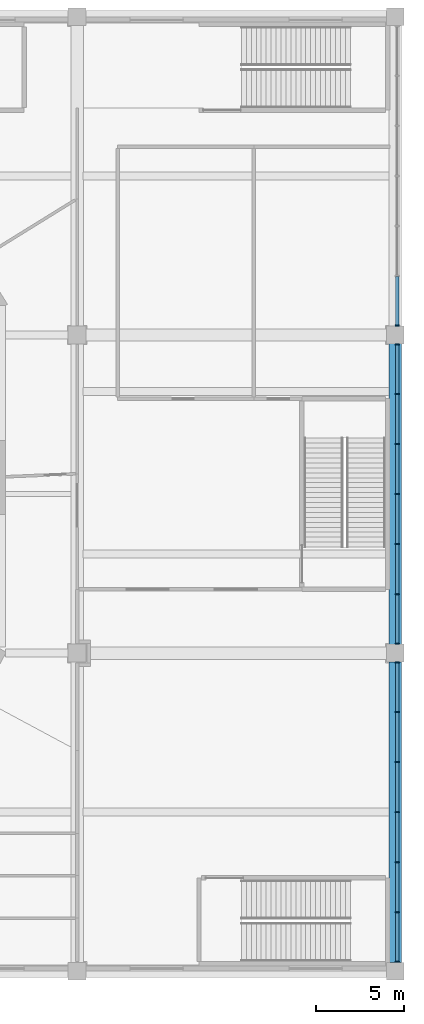
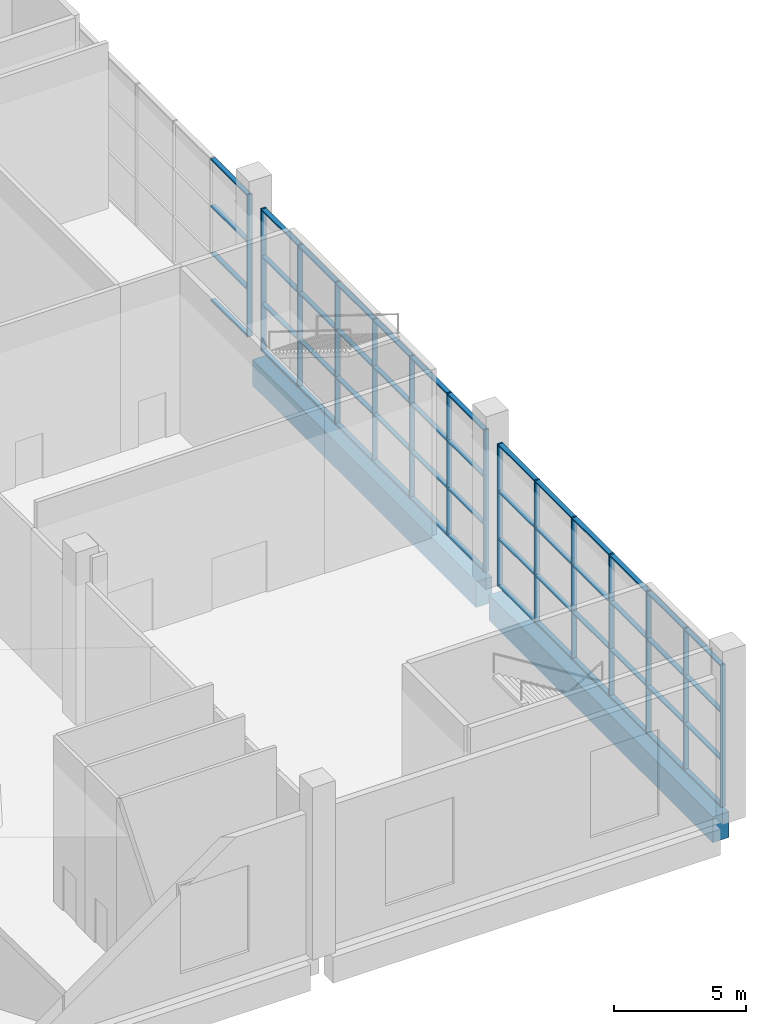
# One storey, part 2 of 15: 67 members, 2 beams, 3 elements without a shape of their own.
"""IFC4 building model written with IfcOpenShell, lengths in metres."""

from ifc_helpers import new_model, si_unit, direction, frame, origin, origin_2d, place, context, subcontext, project, spatial, rectangle, extrude, material, material_profile, profile_set, type_object, element, aggregate, save


model = new_model("IFC4")

# Units and contexts
model_context = context("Model", 3, precision=1e-05, world=origin(), true_north=direction((0.0, 1.0)))
body_context = subcontext(model_context, "Body", "Model", "MODEL_VIEW")
ifc_project = project(units=[si_unit("LENGTHUNIT", "METRE"), si_unit("AREAUNIT", "SQUARE_METRE"), si_unit("VOLUMEUNIT", "CUBIC_METRE"), si_unit("PLANEANGLEUNIT", "RADIAN"), si_unit("MASSUNIT", "GRAM", prefix="KILO")], contexts=[model_context])

# Site, building, storey
site_placement = place(None, origin())
site = spatial("IfcSite", under=ifc_project, at=site_placement, CompositionType="ELEMENT")
building_placement = place(site_placement, origin())
building = spatial("IfcBuilding", under=site, at=building_placement, Name="Vanh Sen Convention Tower", CompositionType="ELEMENT")
storey_placement = place(building_placement, frame((0.0, 0.0, 21.0)))
storey = spatial("IfcBuildingStorey", under=building, at=storey_placement, Name="L03", CompositionType="ELEMENT", Elevation=21.0)

# Curtain wall, members
ifc_material_1 = material(Name="Aluminium structural glazing system", Category="aluminium")
curtain_wall_type = type_object("IfcCurtainWallType", Name="Podium hall structural glazing", PredefinedType="NOTDEFINED", material=ifc_material_1)
curtain_wall_1_placement = place(storey_placement, origin())
curtain_wall_1 = element("IfcCurtainWall", 1, at=curtain_wall_1_placement, inside=storey, type_object=curtain_wall_type, Name="Podium hall glazing 1 L03", PredefinedType="NOTDEFINED")
ifc_material_2 = material(Name="Aluminium mullion", Category="aluminium")
ifc_material_profile_1 = material_profile(ifc_material_2, rectangle(XDim=0.219970703125, YDim=0.070068359375, at=origin_2d()), Name="Hall glazing mullion 70 x 220")
ifc_profile_set_1 = profile_set([ifc_material_profile_1], Name="Aluminium mullion")
member_type_1 = type_object("IfcMemberType", Name="Hall glazing mullion 70 x 220", PredefinedType="MULLION", material=ifc_profile_set_1)
member_1_placement = place(storey_placement, frame((45.110107421875, -26.465087890625, 0.0), z_axis=(0.0, 0.0, 1.0), x_axis=(-1.0, 0.0, 0.0)))
member_1 = element("IfcMember", 2, at=member_1_placement, type_object=member_type_1, Name="CW4 mullion 1", PredefinedType="MULLION", context=body_context, shape_type="SweptSolid", body=[
    extrude(rectangle(XDim=0.219970703125, YDim=0.070068359375, at=origin_2d()), origin(), (0.0, 0.0, 1.0), 6.60009765625),
])
member_2_placement = place(storey_placement, frame((45.110107421875, -23.666748046875, 0.0), z_axis=(0.0, 0.0, 1.0), x_axis=(-1.0, 0.0, 0.0)))
member_2 = element("IfcMember", 3, at=member_2_placement, type_object=member_type_1, Name="CW4 mullion 2", PredefinedType="MULLION", context=body_context, shape_type="SweptSolid", body=[
    extrude(rectangle(XDim=0.219970703125, YDim=0.070068359375, at=origin_2d()), origin(), (0.0, 0.0, 1.0), 6.60009765625),
])
member_3_placement = place(storey_placement, frame((45.110107421875, -20.833251953125, 0.0), z_axis=(0.0, 0.0, 1.0), x_axis=(-1.0, 0.0, 0.0)))
member_3 = element("IfcMember", 4, at=member_3_placement, type_object=member_type_1, Name="CW4 mullion 3", PredefinedType="MULLION", context=body_context, shape_type="SweptSolid", body=[
    extrude(rectangle(XDim=0.219970703125, YDim=0.070068359375, at=origin_2d()), origin(), (0.0, 0.0, 1.0), 6.60009765625),
])
member_4_placement = place(storey_placement, frame((45.110107421875, -18.0, 0.0), z_axis=(0.0, 0.0, 1.0), x_axis=(-1.0, 0.0, 0.0)))
member_4 = element("IfcMember", 5, at=member_4_placement, type_object=member_type_1, Name="CW4 mullion 4", PredefinedType="MULLION", context=body_context, shape_type="SweptSolid", body=[
    extrude(rectangle(XDim=0.219970703125, YDim=0.070068359375, at=origin_2d()), origin(), (0.0, 0.0, 1.0), 6.60009765625),
])
member_5_placement = place(storey_placement, frame((45.110107421875, -15.166748046875, 0.0), z_axis=(0.0, 0.0, 1.0), x_axis=(-1.0, 0.0, 0.0)))
member_5 = element("IfcMember", 6, at=member_5_placement, type_object=member_type_1, Name="CW4 mullion 5", PredefinedType="MULLION", context=body_context, shape_type="SweptSolid", body=[
    extrude(rectangle(XDim=0.219970703125, YDim=0.070068359375, at=origin_2d()), origin(), (0.0, 0.0, 1.0), 6.60009765625),
])
member_6_placement = place(storey_placement, frame((45.110107421875, -12.333251953125, 0.0), z_axis=(0.0, 0.0, 1.0), x_axis=(-1.0, 0.0, 0.0)))
member_6 = element("IfcMember", 7, at=member_6_placement, type_object=member_type_1, Name="CW4 mullion 6", PredefinedType="MULLION", context=body_context, shape_type="SweptSolid", body=[
    extrude(rectangle(XDim=0.219970703125, YDim=0.070068359375, at=origin_2d()), origin(), (0.0, 0.0, 1.0), 6.60009765625),
])
member_7_placement = place(storey_placement, frame((45.110107421875, -9.534912109375, 0.0), z_axis=(0.0, 0.0, 1.0), x_axis=(-1.0, 0.0, 0.0)))
member_7 = element("IfcMember", 8, at=member_7_placement, type_object=member_type_1, Name="CW4 mullion 7", PredefinedType="MULLION", context=body_context, shape_type="SweptSolid", body=[
    extrude(rectangle(XDim=0.219970703125, YDim=0.070068359375, at=origin_2d()), origin(), (0.0, 0.0, 1.0), 6.60009765625),
])

curtain_wall_2_placement = place(storey_placement, origin())
curtain_wall_2 = element("IfcCurtainWall", 9, at=curtain_wall_2_placement, inside=storey, type_object=curtain_wall_type, Name="Podium hall glazing 2 L03", PredefinedType="NOTDEFINED")
member_8_placement = place(storey_placement, frame((45.110107421875, -8.465087890625, 0.0), z_axis=(0.0, 0.0, 1.0), x_axis=(-1.0, 0.0, 0.0)))
member_8 = element("IfcMember", 10, at=member_8_placement, type_object=member_type_1, Name="CW4 mullion 1", PredefinedType="MULLION", context=body_context, shape_type="SweptSolid", body=[
    extrude(rectangle(XDim=0.219970703125, YDim=0.070068359375, at=origin_2d()), origin(), (0.0, 0.0, 1.0), 6.60009765625),
])
member_9_placement = place(storey_placement, frame((45.110107421875, -5.666748046875, 0.0), z_axis=(0.0, 0.0, 1.0), x_axis=(-1.0, 0.0, 0.0)))
member_9 = element("IfcMember", 11, at=member_9_placement, type_object=member_type_1, Name="CW4 mullion 2", PredefinedType="MULLION", context=body_context, shape_type="SweptSolid", body=[
    extrude(rectangle(XDim=0.219970703125, YDim=0.070068359375, at=origin_2d()), origin(), (0.0, 0.0, 1.0), 6.60009765625),
])
member_10_placement = place(storey_placement, frame((45.110107421875, -2.833251953125, 0.0), z_axis=(0.0, 0.0, 1.0), x_axis=(-1.0, 0.0, 0.0)))
member_10 = element("IfcMember", 12, at=member_10_placement, type_object=member_type_1, Name="CW4 mullion 3", PredefinedType="MULLION", context=body_context, shape_type="SweptSolid", body=[
    extrude(rectangle(XDim=0.219970703125, YDim=0.070068359375, at=origin_2d()), origin(), (0.0, 0.0, 1.0), 6.60009765625),
])
member_11_placement = place(storey_placement, frame((45.110107421875, 0.0, 0.0), z_axis=(0.0, 0.0, 1.0), x_axis=(-1.0, 0.0, 0.0)))
member_11 = element("IfcMember", 13, at=member_11_placement, type_object=member_type_1, Name="CW4 mullion 4", PredefinedType="MULLION", context=body_context, shape_type="SweptSolid", body=[
    extrude(rectangle(XDim=0.219970703125, YDim=0.070068359375, at=origin_2d()), origin(), (0.0, 0.0, 1.0), 6.60009765625),
])
member_12_placement = place(storey_placement, frame((45.110107421875, 2.833251953125, 0.0), z_axis=(0.0, 0.0, 1.0), x_axis=(-1.0, 0.0, 0.0)))
member_12 = element("IfcMember", 14, at=member_12_placement, type_object=member_type_1, Name="CW4 mullion 5", PredefinedType="MULLION", context=body_context, shape_type="SweptSolid", body=[
    extrude(rectangle(XDim=0.219970703125, YDim=0.070068359375, at=origin_2d()), origin(), (0.0, 0.0, 1.0), 6.60009765625),
])
member_13_placement = place(storey_placement, frame((45.110107421875, 5.666748046875, 0.0), z_axis=(0.0, 0.0, 1.0), x_axis=(-1.0, 0.0, 0.0)))
member_13 = element("IfcMember", 15, at=member_13_placement, type_object=member_type_1, Name="CW4 mullion 6", PredefinedType="MULLION", context=body_context, shape_type="SweptSolid", body=[
    extrude(rectangle(XDim=0.219970703125, YDim=0.070068359375, at=origin_2d()), origin(), (0.0, 0.0, 1.0), 6.60009765625),
])
member_14_placement = place(storey_placement, frame((45.110107421875, 8.465087890625, 0.0), z_axis=(0.0, 0.0, 1.0), x_axis=(-1.0, 0.0, 0.0)))
member_14 = element("IfcMember", 16, at=member_14_placement, type_object=member_type_1, Name="CW4 mullion 7", PredefinedType="MULLION", context=body_context, shape_type="SweptSolid", body=[
    extrude(rectangle(XDim=0.219970703125, YDim=0.070068359375, at=origin_2d()), origin(), (0.0, 0.0, 1.0), 6.60009765625),
])

# Curtain wall, member
curtain_wall_3_placement = place(storey_placement, origin())
curtain_wall_3 = element("IfcCurtainWall", 17, at=curtain_wall_3_placement, inside=storey, type_object=curtain_wall_type, Name="Podium hall glazing 3 L03", PredefinedType="NOTDEFINED")
member_15_placement = place(storey_placement, frame((45.110107421875, 9.534912109375, 0.0), z_axis=(0.0, 0.0, 1.0), x_axis=(-1.0, 0.0, 0.0)))
member_15 = element("IfcMember", 18, at=member_15_placement, type_object=member_type_1, Name="CW4 mullion 1", PredefinedType="MULLION", context=body_context, shape_type="SweptSolid", body=[
    extrude(rectangle(XDim=0.219970703125, YDim=0.070068359375, at=origin_2d()), origin(), (0.0, 0.0, 1.0), 6.60009765625),
])

# Member
ifc_material_3 = material(Name="Aluminium transom", Category="aluminium")
ifc_material_profile_2 = material_profile(ifc_material_3, rectangle(XDim=0.199951171875, YDim=0.070068359375, at=origin_2d()), Name="Hall glazing transom 200 x 70")
ifc_profile_set_2 = profile_set([ifc_material_profile_2], Name="Aluminium transom")
member_type_2 = type_object("IfcMemberType", Name="Hall glazing transom 200 x 70", PredefinedType="USERDEFINED", material=ifc_profile_set_2)
member_16_placement = place(storey_placement, frame((45.110107421875, -26.429931640625, 0.034912109375), z_axis=(0.0, 1.0, 0.0), x_axis=(-1.0, 0.0, 0.0)))
member_16 = element("IfcMember", 19, at=member_16_placement, type_object=member_type_2, Name="CW4 transom 1.1", ObjectType="TRANSOM", PredefinedType="USERDEFINED", context=body_context, shape_type="SweptSolid", body=[
    extrude(rectangle(XDim=0.199951171875, YDim=0.070068359375, at=origin_2d()), origin(), (0.0, 0.0, 1.0), 2.728271484375),
])

member_17_placement = place(storey_placement, frame((45.110107421875, -26.429931640625, 2.199951171875), z_axis=(0.0, 1.0, 0.0), x_axis=(-1.0, 0.0, 0.0)))
member_17 = element("IfcMember", 20, at=member_17_placement, type_object=member_type_2, Name="CW4 transom 1.2", ObjectType="TRANSOM", PredefinedType="USERDEFINED", context=body_context, shape_type="SweptSolid", body=[
    extrude(rectangle(XDim=0.199951171875, YDim=0.070068359375, at=origin_2d()), origin(), (0.0, 0.0, 1.0), 2.728271484375),
])

member_18_placement = place(storey_placement, frame((45.110107421875, -26.429931640625, 4.39990234375), z_axis=(0.0, 1.0, 0.0), x_axis=(-1.0, 0.0, 0.0)))
member_18 = element("IfcMember", 21, at=member_18_placement, type_object=member_type_2, Name="CW4 transom 1.3", ObjectType="TRANSOM", PredefinedType="USERDEFINED", context=body_context, shape_type="SweptSolid", body=[
    extrude(rectangle(XDim=0.199951171875, YDim=0.070068359375, at=origin_2d()), origin(), (0.0, 0.0, 1.0), 2.728271484375),
])

member_19_placement = place(storey_placement, frame((45.110107421875, -26.429931640625, 6.56494140625), z_axis=(0.0, 1.0, 0.0), x_axis=(-1.0, 0.0, 0.0)))
member_19 = element("IfcMember", 22, at=member_19_placement, type_object=member_type_2, Name="CW4 transom 1.4", ObjectType="TRANSOM", PredefinedType="USERDEFINED", context=body_context, shape_type="SweptSolid", body=[
    extrude(rectangle(XDim=0.199951171875, YDim=0.070068359375, at=origin_2d()), origin(), (0.0, 0.0, 1.0), 2.728271484375),
])

member_20_placement = place(storey_placement, frame((45.110107421875, -23.631591796875, 0.034912109375), z_axis=(0.0, 1.0, 0.0), x_axis=(-1.0, 0.0, 0.0)))
member_20 = element("IfcMember", 23, at=member_20_placement, type_object=member_type_2, Name="CW4 transom 2.1", ObjectType="TRANSOM", PredefinedType="USERDEFINED", context=body_context, shape_type="SweptSolid", body=[
    extrude(rectangle(XDim=0.199951171875, YDim=0.070068359375, at=origin_2d()), origin(), (0.0, 0.0, 1.0), 2.76318359375),
])

member_21_placement = place(storey_placement, frame((45.110107421875, -23.631591796875, 2.199951171875), z_axis=(0.0, 1.0, 0.0), x_axis=(-1.0, 0.0, 0.0)))
member_21 = element("IfcMember", 24, at=member_21_placement, type_object=member_type_2, Name="CW4 transom 2.2", ObjectType="TRANSOM", PredefinedType="USERDEFINED", context=body_context, shape_type="SweptSolid", body=[
    extrude(rectangle(XDim=0.199951171875, YDim=0.070068359375, at=origin_2d()), origin(), (0.0, 0.0, 1.0), 2.76318359375),
])

member_22_placement = place(storey_placement, frame((45.110107421875, -23.631591796875, 4.39990234375), z_axis=(0.0, 1.0, 0.0), x_axis=(-1.0, 0.0, 0.0)))
member_22 = element("IfcMember", 25, at=member_22_placement, type_object=member_type_2, Name="CW4 transom 2.3", ObjectType="TRANSOM", PredefinedType="USERDEFINED", context=body_context, shape_type="SweptSolid", body=[
    extrude(rectangle(XDim=0.199951171875, YDim=0.070068359375, at=origin_2d()), origin(), (0.0, 0.0, 1.0), 2.76318359375),
])

member_23_placement = place(storey_placement, frame((45.110107421875, -23.631591796875, 6.56494140625), z_axis=(0.0, 1.0, 0.0), x_axis=(-1.0, 0.0, 0.0)))
member_23 = element("IfcMember", 26, at=member_23_placement, type_object=member_type_2, Name="CW4 transom 2.4", ObjectType="TRANSOM", PredefinedType="USERDEFINED", context=body_context, shape_type="SweptSolid", body=[
    extrude(rectangle(XDim=0.199951171875, YDim=0.070068359375, at=origin_2d()), origin(), (0.0, 0.0, 1.0), 2.76318359375),
])

member_24_placement = place(storey_placement, frame((45.110107421875, -20.79833984375, 0.034912109375), z_axis=(0.0, 1.0, 0.0), x_axis=(-1.0, 0.0, 0.0)))
member_24 = element("IfcMember", 27, at=member_24_placement, type_object=member_type_2, Name="CW4 transom 3.1", ObjectType="TRANSOM", PredefinedType="USERDEFINED", context=body_context, shape_type="SweptSolid", body=[
    extrude(rectangle(XDim=0.199951171875, YDim=0.070068359375, at=origin_2d()), origin(), (0.0, 0.0, 1.0), 2.763427734375),
])

member_25_placement = place(storey_placement, frame((45.110107421875, -20.79833984375, 2.199951171875), z_axis=(0.0, 1.0, 0.0), x_axis=(-1.0, 0.0, 0.0)))
member_25 = element("IfcMember", 28, at=member_25_placement, type_object=member_type_2, Name="CW4 transom 3.2", ObjectType="TRANSOM", PredefinedType="USERDEFINED", context=body_context, shape_type="SweptSolid", body=[
    extrude(rectangle(XDim=0.199951171875, YDim=0.070068359375, at=origin_2d()), origin(), (0.0, 0.0, 1.0), 2.763427734375),
])

member_26_placement = place(storey_placement, frame((45.110107421875, -20.79833984375, 4.39990234375), z_axis=(0.0, 1.0, 0.0), x_axis=(-1.0, 0.0, 0.0)))
member_26 = element("IfcMember", 29, at=member_26_placement, type_object=member_type_2, Name="CW4 transom 3.3", ObjectType="TRANSOM", PredefinedType="USERDEFINED", context=body_context, shape_type="SweptSolid", body=[
    extrude(rectangle(XDim=0.199951171875, YDim=0.070068359375, at=origin_2d()), origin(), (0.0, 0.0, 1.0), 2.763427734375),
])

member_27_placement = place(storey_placement, frame((45.110107421875, -20.79833984375, 6.56494140625), z_axis=(0.0, 1.0, 0.0), x_axis=(-1.0, 0.0, 0.0)))
member_27 = element("IfcMember", 30, at=member_27_placement, type_object=member_type_2, Name="CW4 transom 3.4", ObjectType="TRANSOM", PredefinedType="USERDEFINED", context=body_context, shape_type="SweptSolid", body=[
    extrude(rectangle(XDim=0.199951171875, YDim=0.070068359375, at=origin_2d()), origin(), (0.0, 0.0, 1.0), 2.763427734375),
])

member_28_placement = place(storey_placement, frame((45.110107421875, -17.965087890625, 0.034912109375), z_axis=(0.0, 1.0, 0.0), x_axis=(-1.0, 0.0, 0.0)))
member_28 = element("IfcMember", 31, at=member_28_placement, type_object=member_type_2, Name="CW4 transom 4.1", ObjectType="TRANSOM", PredefinedType="USERDEFINED", context=body_context, shape_type="SweptSolid", body=[
    extrude(rectangle(XDim=0.199951171875, YDim=0.070068359375, at=origin_2d()), origin(), (0.0, 0.0, 1.0), 2.763427734375),
])

member_29_placement = place(storey_placement, frame((45.110107421875, -17.965087890625, 2.199951171875), z_axis=(0.0, 1.0, 0.0), x_axis=(-1.0, 0.0, 0.0)))
member_29 = element("IfcMember", 32, at=member_29_placement, type_object=member_type_2, Name="CW4 transom 4.2", ObjectType="TRANSOM", PredefinedType="USERDEFINED", context=body_context, shape_type="SweptSolid", body=[
    extrude(rectangle(XDim=0.199951171875, YDim=0.070068359375, at=origin_2d()), origin(), (0.0, 0.0, 1.0), 2.763427734375),
])

member_30_placement = place(storey_placement, frame((45.110107421875, -17.965087890625, 4.39990234375), z_axis=(0.0, 1.0, 0.0), x_axis=(-1.0, 0.0, 0.0)))
member_30 = element("IfcMember", 33, at=member_30_placement, type_object=member_type_2, Name="CW4 transom 4.3", ObjectType="TRANSOM", PredefinedType="USERDEFINED", context=body_context, shape_type="SweptSolid", body=[
    extrude(rectangle(XDim=0.199951171875, YDim=0.070068359375, at=origin_2d()), origin(), (0.0, 0.0, 1.0), 2.763427734375),
])

member_31_placement = place(storey_placement, frame((45.110107421875, -17.965087890625, 6.56494140625), z_axis=(0.0, 1.0, 0.0), x_axis=(-1.0, 0.0, 0.0)))
member_31 = element("IfcMember", 34, at=member_31_placement, type_object=member_type_2, Name="CW4 transom 4.4", ObjectType="TRANSOM", PredefinedType="USERDEFINED", context=body_context, shape_type="SweptSolid", body=[
    extrude(rectangle(XDim=0.199951171875, YDim=0.070068359375, at=origin_2d()), origin(), (0.0, 0.0, 1.0), 2.763427734375),
])

member_32_placement = place(storey_placement, frame((45.110107421875, -15.131591796875, 0.034912109375), z_axis=(0.0, 1.0, 0.0), x_axis=(-1.0, 0.0, 0.0)))
member_32 = element("IfcMember", 35, at=member_32_placement, type_object=member_type_2, Name="CW4 transom 5.1", ObjectType="TRANSOM", PredefinedType="USERDEFINED", context=body_context, shape_type="SweptSolid", body=[
    extrude(rectangle(XDim=0.199951171875, YDim=0.070068359375, at=origin_2d()), origin(), (0.0, 0.0, 1.0), 2.76318359375),
])

member_33_placement = place(storey_placement, frame((45.110107421875, -15.131591796875, 2.199951171875), z_axis=(0.0, 1.0, 0.0), x_axis=(-1.0, 0.0, 0.0)))
member_33 = element("IfcMember", 36, at=member_33_placement, type_object=member_type_2, Name="CW4 transom 5.2", ObjectType="TRANSOM", PredefinedType="USERDEFINED", context=body_context, shape_type="SweptSolid", body=[
    extrude(rectangle(XDim=0.199951171875, YDim=0.070068359375, at=origin_2d()), origin(), (0.0, 0.0, 1.0), 2.76318359375),
])

member_34_placement = place(storey_placement, frame((45.110107421875, -15.131591796875, 4.39990234375), z_axis=(0.0, 1.0, 0.0), x_axis=(-1.0, 0.0, 0.0)))
member_34 = element("IfcMember", 37, at=member_34_placement, type_object=member_type_2, Name="CW4 transom 5.3", ObjectType="TRANSOM", PredefinedType="USERDEFINED", context=body_context, shape_type="SweptSolid", body=[
    extrude(rectangle(XDim=0.199951171875, YDim=0.070068359375, at=origin_2d()), origin(), (0.0, 0.0, 1.0), 2.76318359375),
])

member_35_placement = place(storey_placement, frame((45.110107421875, -15.131591796875, 6.56494140625), z_axis=(0.0, 1.0, 0.0), x_axis=(-1.0, 0.0, 0.0)))
member_35 = element("IfcMember", 38, at=member_35_placement, type_object=member_type_2, Name="CW4 transom 5.4", ObjectType="TRANSOM", PredefinedType="USERDEFINED", context=body_context, shape_type="SweptSolid", body=[
    extrude(rectangle(XDim=0.199951171875, YDim=0.070068359375, at=origin_2d()), origin(), (0.0, 0.0, 1.0), 2.76318359375),
])

member_36_placement = place(storey_placement, frame((45.110107421875, -12.29833984375, 0.034912109375), z_axis=(0.0, 1.0, 0.0), x_axis=(-1.0, 0.0, 0.0)))
member_36 = element("IfcMember", 39, at=member_36_placement, type_object=member_type_2, Name="CW4 transom 6.1", ObjectType="TRANSOM", PredefinedType="USERDEFINED", context=body_context, shape_type="SweptSolid", body=[
    extrude(rectangle(XDim=0.199951171875, YDim=0.070068359375, at=origin_2d()), origin(), (0.0, 0.0, 1.0), 2.728271484375),
])

member_37_placement = place(storey_placement, frame((45.110107421875, -12.29833984375, 2.199951171875), z_axis=(0.0, 1.0, 0.0), x_axis=(-1.0, 0.0, 0.0)))
member_37 = element("IfcMember", 40, at=member_37_placement, type_object=member_type_2, Name="CW4 transom 6.2", ObjectType="TRANSOM", PredefinedType="USERDEFINED", context=body_context, shape_type="SweptSolid", body=[
    extrude(rectangle(XDim=0.199951171875, YDim=0.070068359375, at=origin_2d()), origin(), (0.0, 0.0, 1.0), 2.728271484375),
])

member_38_placement = place(storey_placement, frame((45.110107421875, -12.29833984375, 4.39990234375), z_axis=(0.0, 1.0, 0.0), x_axis=(-1.0, 0.0, 0.0)))
member_38 = element("IfcMember", 41, at=member_38_placement, type_object=member_type_2, Name="CW4 transom 6.3", ObjectType="TRANSOM", PredefinedType="USERDEFINED", context=body_context, shape_type="SweptSolid", body=[
    extrude(rectangle(XDim=0.199951171875, YDim=0.070068359375, at=origin_2d()), origin(), (0.0, 0.0, 1.0), 2.728271484375),
])

member_39_placement = place(storey_placement, frame((45.110107421875, -12.29833984375, 6.56494140625), z_axis=(0.0, 1.0, 0.0), x_axis=(-1.0, 0.0, 0.0)))
member_39 = element("IfcMember", 42, at=member_39_placement, type_object=member_type_2, Name="CW4 transom 6.4", ObjectType="TRANSOM", PredefinedType="USERDEFINED", context=body_context, shape_type="SweptSolid", body=[
    extrude(rectangle(XDim=0.199951171875, YDim=0.070068359375, at=origin_2d()), origin(), (0.0, 0.0, 1.0), 2.728271484375),
])

aggregate(curtain_wall_1, [member_1, member_2, member_3, member_4, member_5, member_6, member_7, member_16, member_17, member_18, member_19, member_20, member_21, member_22, member_23, member_24, member_25, member_26, member_27, member_28, member_29, member_30, member_31, member_32, member_33, member_34, member_35, member_36, member_37, member_38, member_39])

member_40_placement = place(storey_placement, frame((45.110107421875, -8.429931640625, 0.034912109375), z_axis=(0.0, 1.0, 0.0), x_axis=(-1.0, 0.0, 0.0)))
member_40 = element("IfcMember", 43, at=member_40_placement, type_object=member_type_2, Name="CW4 transom 1.1", ObjectType="TRANSOM", PredefinedType="USERDEFINED", context=body_context, shape_type="SweptSolid", body=[
    extrude(rectangle(XDim=0.199951171875, YDim=0.070068359375, at=origin_2d()), origin(), (0.0, 0.0, 1.0), 2.728271484375),
])

member_41_placement = place(storey_placement, frame((45.110107421875, -8.429931640625, 2.199951171875), z_axis=(0.0, 1.0, 0.0), x_axis=(-1.0, 0.0, 0.0)))
member_41 = element("IfcMember", 44, at=member_41_placement, type_object=member_type_2, Name="CW4 transom 1.2", ObjectType="TRANSOM", PredefinedType="USERDEFINED", context=body_context, shape_type="SweptSolid", body=[
    extrude(rectangle(XDim=0.199951171875, YDim=0.070068359375, at=origin_2d()), origin(), (0.0, 0.0, 1.0), 2.728271484375),
])

member_42_placement = place(storey_placement, frame((45.110107421875, -8.429931640625, 4.39990234375), z_axis=(0.0, 1.0, 0.0), x_axis=(-1.0, 0.0, 0.0)))
member_42 = element("IfcMember", 45, at=member_42_placement, type_object=member_type_2, Name="CW4 transom 1.3", ObjectType="TRANSOM", PredefinedType="USERDEFINED", context=body_context, shape_type="SweptSolid", body=[
    extrude(rectangle(XDim=0.199951171875, YDim=0.070068359375, at=origin_2d()), origin(), (0.0, 0.0, 1.0), 2.728271484375),
])

member_43_placement = place(storey_placement, frame((45.110107421875, -8.429931640625, 6.56494140625), z_axis=(0.0, 1.0, 0.0), x_axis=(-1.0, 0.0, 0.0)))
member_43 = element("IfcMember", 46, at=member_43_placement, type_object=member_type_2, Name="CW4 transom 1.4", ObjectType="TRANSOM", PredefinedType="USERDEFINED", context=body_context, shape_type="SweptSolid", body=[
    extrude(rectangle(XDim=0.199951171875, YDim=0.070068359375, at=origin_2d()), origin(), (0.0, 0.0, 1.0), 2.728271484375),
])

member_44_placement = place(storey_placement, frame((45.110107421875, -5.631591796875, 0.034912109375), z_axis=(0.0, 1.0, 0.0), x_axis=(-1.0, 0.0, 0.0)))
member_44 = element("IfcMember", 47, at=member_44_placement, type_object=member_type_2, Name="CW4 transom 2.1", ObjectType="TRANSOM", PredefinedType="USERDEFINED", context=body_context, shape_type="SweptSolid", body=[
    extrude(rectangle(XDim=0.199951171875, YDim=0.070068359375, at=origin_2d()), origin(), (0.0, 0.0, 1.0), 2.76318359375),
])

member_45_placement = place(storey_placement, frame((45.110107421875, -5.631591796875, 2.199951171875), z_axis=(0.0, 1.0, 0.0), x_axis=(-1.0, 0.0, 0.0)))
member_45 = element("IfcMember", 48, at=member_45_placement, type_object=member_type_2, Name="CW4 transom 2.2", ObjectType="TRANSOM", PredefinedType="USERDEFINED", context=body_context, shape_type="SweptSolid", body=[
    extrude(rectangle(XDim=0.199951171875, YDim=0.070068359375, at=origin_2d()), origin(), (0.0, 0.0, 1.0), 2.76318359375),
])

member_46_placement = place(storey_placement, frame((45.110107421875, -5.631591796875, 4.39990234375), z_axis=(0.0, 1.0, 0.0), x_axis=(-1.0, 0.0, 0.0)))
member_46 = element("IfcMember", 49, at=member_46_placement, type_object=member_type_2, Name="CW4 transom 2.3", ObjectType="TRANSOM", PredefinedType="USERDEFINED", context=body_context, shape_type="SweptSolid", body=[
    extrude(rectangle(XDim=0.199951171875, YDim=0.070068359375, at=origin_2d()), origin(), (0.0, 0.0, 1.0), 2.76318359375),
])

member_47_placement = place(storey_placement, frame((45.110107421875, -5.631591796875, 6.56494140625), z_axis=(0.0, 1.0, 0.0), x_axis=(-1.0, 0.0, 0.0)))
member_47 = element("IfcMember", 50, at=member_47_placement, type_object=member_type_2, Name="CW4 transom 2.4", ObjectType="TRANSOM", PredefinedType="USERDEFINED", context=body_context, shape_type="SweptSolid", body=[
    extrude(rectangle(XDim=0.199951171875, YDim=0.070068359375, at=origin_2d()), origin(), (0.0, 0.0, 1.0), 2.76318359375),
])

member_48_placement = place(storey_placement, frame((45.110107421875, -2.79833984375, 0.034912109375), z_axis=(0.0, 1.0, 0.0), x_axis=(-1.0, 0.0, 0.0)))
member_48 = element("IfcMember", 51, at=member_48_placement, type_object=member_type_2, Name="CW4 transom 3.1", ObjectType="TRANSOM", PredefinedType="USERDEFINED", context=body_context, shape_type="SweptSolid", body=[
    extrude(rectangle(XDim=0.199951171875, YDim=0.070068359375, at=origin_2d()), origin(), (0.0, 0.0, 1.0), 2.763427734375),
])

member_49_placement = place(storey_placement, frame((45.110107421875, -2.79833984375, 2.199951171875), z_axis=(0.0, 1.0, 0.0), x_axis=(-1.0, 0.0, 0.0)))
member_49 = element("IfcMember", 52, at=member_49_placement, type_object=member_type_2, Name="CW4 transom 3.2", ObjectType="TRANSOM", PredefinedType="USERDEFINED", context=body_context, shape_type="SweptSolid", body=[
    extrude(rectangle(XDim=0.199951171875, YDim=0.070068359375, at=origin_2d()), origin(), (0.0, 0.0, 1.0), 2.763427734375),
])

member_50_placement = place(storey_placement, frame((45.110107421875, -2.79833984375, 4.39990234375), z_axis=(0.0, 1.0, 0.0), x_axis=(-1.0, 0.0, 0.0)))
member_50 = element("IfcMember", 53, at=member_50_placement, type_object=member_type_2, Name="CW4 transom 3.3", ObjectType="TRANSOM", PredefinedType="USERDEFINED", context=body_context, shape_type="SweptSolid", body=[
    extrude(rectangle(XDim=0.199951171875, YDim=0.070068359375, at=origin_2d()), origin(), (0.0, 0.0, 1.0), 2.763427734375),
])

member_51_placement = place(storey_placement, frame((45.110107421875, -2.79833984375, 6.56494140625), z_axis=(0.0, 1.0, 0.0), x_axis=(-1.0, 0.0, 0.0)))
member_51 = element("IfcMember", 54, at=member_51_placement, type_object=member_type_2, Name="CW4 transom 3.4", ObjectType="TRANSOM", PredefinedType="USERDEFINED", context=body_context, shape_type="SweptSolid", body=[
    extrude(rectangle(XDim=0.199951171875, YDim=0.070068359375, at=origin_2d()), origin(), (0.0, 0.0, 1.0), 2.763427734375),
])

member_52_placement = place(storey_placement, frame((45.110107421875, 0.034912109375, 0.034912109375), z_axis=(0.0, 1.0, 0.0), x_axis=(-1.0, 0.0, 0.0)))
member_52 = element("IfcMember", 55, at=member_52_placement, type_object=member_type_2, Name="CW4 transom 4.1", ObjectType="TRANSOM", PredefinedType="USERDEFINED", context=body_context, shape_type="SweptSolid", body=[
    extrude(rectangle(XDim=0.199951171875, YDim=0.070068359375, at=origin_2d()), origin(), (0.0, 0.0, 1.0), 2.763427734375),
])

member_53_placement = place(storey_placement, frame((45.110107421875, 0.034912109375, 2.199951171875), z_axis=(0.0, 1.0, 0.0), x_axis=(-1.0, 0.0, 0.0)))
member_53 = element("IfcMember", 56, at=member_53_placement, type_object=member_type_2, Name="CW4 transom 4.2", ObjectType="TRANSOM", PredefinedType="USERDEFINED", context=body_context, shape_type="SweptSolid", body=[
    extrude(rectangle(XDim=0.199951171875, YDim=0.070068359375, at=origin_2d()), origin(), (0.0, 0.0, 1.0), 2.763427734375),
])

member_54_placement = place(storey_placement, frame((45.110107421875, 0.034912109375, 4.39990234375), z_axis=(0.0, 1.0, 0.0), x_axis=(-1.0, 0.0, 0.0)))
member_54 = element("IfcMember", 57, at=member_54_placement, type_object=member_type_2, Name="CW4 transom 4.3", ObjectType="TRANSOM", PredefinedType="USERDEFINED", context=body_context, shape_type="SweptSolid", body=[
    extrude(rectangle(XDim=0.199951171875, YDim=0.070068359375, at=origin_2d()), origin(), (0.0, 0.0, 1.0), 2.763427734375),
])

member_55_placement = place(storey_placement, frame((45.110107421875, 0.034912109375, 6.56494140625), z_axis=(0.0, 1.0, 0.0), x_axis=(-1.0, 0.0, 0.0)))
member_55 = element("IfcMember", 58, at=member_55_placement, type_object=member_type_2, Name="CW4 transom 4.4", ObjectType="TRANSOM", PredefinedType="USERDEFINED", context=body_context, shape_type="SweptSolid", body=[
    extrude(rectangle(XDim=0.199951171875, YDim=0.070068359375, at=origin_2d()), origin(), (0.0, 0.0, 1.0), 2.763427734375),
])

member_56_placement = place(storey_placement, frame((45.110107421875, 2.868408203125, 0.034912109375), z_axis=(0.0, 1.0, 0.0), x_axis=(-1.0, 0.0, 0.0)))
member_56 = element("IfcMember", 59, at=member_56_placement, type_object=member_type_2, Name="CW4 transom 5.1", ObjectType="TRANSOM", PredefinedType="USERDEFINED", context=body_context, shape_type="SweptSolid", body=[
    extrude(rectangle(XDim=0.199951171875, YDim=0.070068359375, at=origin_2d()), origin(), (0.0, 0.0, 1.0), 2.76318359375),
])

member_57_placement = place(storey_placement, frame((45.110107421875, 2.868408203125, 2.199951171875), z_axis=(0.0, 1.0, 0.0), x_axis=(-1.0, 0.0, 0.0)))
member_57 = element("IfcMember", 60, at=member_57_placement, type_object=member_type_2, Name="CW4 transom 5.2", ObjectType="TRANSOM", PredefinedType="USERDEFINED", context=body_context, shape_type="SweptSolid", body=[
    extrude(rectangle(XDim=0.199951171875, YDim=0.070068359375, at=origin_2d()), origin(), (0.0, 0.0, 1.0), 2.76318359375),
])

member_58_placement = place(storey_placement, frame((45.110107421875, 2.868408203125, 4.39990234375), z_axis=(0.0, 1.0, 0.0), x_axis=(-1.0, 0.0, 0.0)))
member_58 = element("IfcMember", 61, at=member_58_placement, type_object=member_type_2, Name="CW4 transom 5.3", ObjectType="TRANSOM", PredefinedType="USERDEFINED", context=body_context, shape_type="SweptSolid", body=[
    extrude(rectangle(XDim=0.199951171875, YDim=0.070068359375, at=origin_2d()), origin(), (0.0, 0.0, 1.0), 2.76318359375),
])

member_59_placement = place(storey_placement, frame((45.110107421875, 2.868408203125, 6.56494140625), z_axis=(0.0, 1.0, 0.0), x_axis=(-1.0, 0.0, 0.0)))
member_59 = element("IfcMember", 62, at=member_59_placement, type_object=member_type_2, Name="CW4 transom 5.4", ObjectType="TRANSOM", PredefinedType="USERDEFINED", context=body_context, shape_type="SweptSolid", body=[
    extrude(rectangle(XDim=0.199951171875, YDim=0.070068359375, at=origin_2d()), origin(), (0.0, 0.0, 1.0), 2.76318359375),
])

member_60_placement = place(storey_placement, frame((45.110107421875, 5.70166015625, 0.034912109375), z_axis=(0.0, 1.0, 0.0), x_axis=(-1.0, 0.0, 0.0)))
member_60 = element("IfcMember", 63, at=member_60_placement, type_object=member_type_2, Name="CW4 transom 6.1", ObjectType="TRANSOM", PredefinedType="USERDEFINED", context=body_context, shape_type="SweptSolid", body=[
    extrude(rectangle(XDim=0.199951171875, YDim=0.070068359375, at=origin_2d()), origin(), (0.0, 0.0, 1.0), 2.728271484375),
])

member_61_placement = place(storey_placement, frame((45.110107421875, 5.70166015625, 2.199951171875), z_axis=(0.0, 1.0, 0.0), x_axis=(-1.0, 0.0, 0.0)))
member_61 = element("IfcMember", 64, at=member_61_placement, type_object=member_type_2, Name="CW4 transom 6.2", ObjectType="TRANSOM", PredefinedType="USERDEFINED", context=body_context, shape_type="SweptSolid", body=[
    extrude(rectangle(XDim=0.199951171875, YDim=0.070068359375, at=origin_2d()), origin(), (0.0, 0.0, 1.0), 2.728271484375),
])

member_62_placement = place(storey_placement, frame((45.110107421875, 5.70166015625, 4.39990234375), z_axis=(0.0, 1.0, 0.0), x_axis=(-1.0, 0.0, 0.0)))
member_62 = element("IfcMember", 65, at=member_62_placement, type_object=member_type_2, Name="CW4 transom 6.3", ObjectType="TRANSOM", PredefinedType="USERDEFINED", context=body_context, shape_type="SweptSolid", body=[
    extrude(rectangle(XDim=0.199951171875, YDim=0.070068359375, at=origin_2d()), origin(), (0.0, 0.0, 1.0), 2.728271484375),
])

member_63_placement = place(storey_placement, frame((45.110107421875, 5.70166015625, 6.56494140625), z_axis=(0.0, 1.0, 0.0), x_axis=(-1.0, 0.0, 0.0)))
member_63 = element("IfcMember", 66, at=member_63_placement, type_object=member_type_2, Name="CW4 transom 6.4", ObjectType="TRANSOM", PredefinedType="USERDEFINED", context=body_context, shape_type="SweptSolid", body=[
    extrude(rectangle(XDim=0.199951171875, YDim=0.070068359375, at=origin_2d()), origin(), (0.0, 0.0, 1.0), 2.728271484375),
])

aggregate(curtain_wall_2, [member_8, member_9, member_10, member_11, member_12, member_13, member_14, member_40, member_41, member_42, member_43, member_44, member_45, member_46, member_47, member_48, member_49, member_50, member_51, member_52, member_53, member_54, member_55, member_56, member_57, member_58, member_59, member_60, member_61, member_62, member_63])

member_64_placement = place(storey_placement, frame((45.110107421875, 9.570068359375, 0.034912109375), z_axis=(0.0, 1.0, 0.0), x_axis=(-1.0, 0.0, 0.0)))
member_64 = element("IfcMember", 67, at=member_64_placement, type_object=member_type_2, Name="CW4 transom 1.1", ObjectType="TRANSOM", PredefinedType="USERDEFINED", context=body_context, shape_type="SweptSolid", body=[
    extrude(rectangle(XDim=0.199951171875, YDim=0.070068359375, at=origin_2d()), origin(), (0.0, 0.0, 1.0), 2.728271484375),
])

member_65_placement = place(storey_placement, frame((45.110107421875, 9.570068359375, 2.199951171875), z_axis=(0.0, 1.0, 0.0), x_axis=(-1.0, 0.0, 0.0)))
member_65 = element("IfcMember", 68, at=member_65_placement, type_object=member_type_2, Name="CW4 transom 1.2", ObjectType="TRANSOM", PredefinedType="USERDEFINED", context=body_context, shape_type="SweptSolid", body=[
    extrude(rectangle(XDim=0.199951171875, YDim=0.070068359375, at=origin_2d()), origin(), (0.0, 0.0, 1.0), 2.728271484375),
])

member_66_placement = place(storey_placement, frame((45.110107421875, 9.570068359375, 4.39990234375), z_axis=(0.0, 1.0, 0.0), x_axis=(-1.0, 0.0, 0.0)))
member_66 = element("IfcMember", 69, at=member_66_placement, type_object=member_type_2, Name="CW4 transom 1.3", ObjectType="TRANSOM", PredefinedType="USERDEFINED", context=body_context, shape_type="SweptSolid", body=[
    extrude(rectangle(XDim=0.199951171875, YDim=0.070068359375, at=origin_2d()), origin(), (0.0, 0.0, 1.0), 2.728271484375),
])

member_67_placement = place(storey_placement, frame((45.110107421875, 9.570068359375, 6.56494140625), z_axis=(0.0, 1.0, 0.0), x_axis=(-1.0, 0.0, 0.0)))
member_67 = element("IfcMember", 70, at=member_67_placement, type_object=member_type_2, Name="CW4 transom 1.4", ObjectType="TRANSOM", PredefinedType="USERDEFINED", context=body_context, shape_type="SweptSolid", body=[
    extrude(rectangle(XDim=0.199951171875, YDim=0.070068359375, at=origin_2d()), origin(), (0.0, 0.0, 1.0), 2.728271484375),
])

aggregate(curtain_wall_3, [member_15, member_64, member_65, member_66, member_67])

# Beams
ifc_material_4 = material(Name="Concrete C50/60", Category="concrete")
ifc_material_profile_3 = material_profile(ifc_material_4, rectangle(XDim=0.699951171875, YDim=1.199951171875, at=origin_2d()), Name="RC 700X1200")
ifc_profile_set_3 = profile_set([ifc_material_profile_3], Name="Concrete C50/60")
beam_type = type_object("IfcBeamType", Name="Podium girder 700 x 1200", PredefinedType="BEAM", material=ifc_profile_set_3)
for number, where, z_axis, x_axis, name in (
    (71, (45.0, -26.5048828125, -0.89990234375), (0.0, 1.0, 0.0), (-1.0, 0.0, 0.0), "Podium girder 11 L03"),
    (72, (45.0, -8.5048828125, -0.89990234375), (0.0, 1.0, 0.0), (-1.0, 0.0, 0.0), "Podium girder 12 L03"),
):
    element("IfcBeam", number, at=place(storey_placement, frame(where, z_axis=z_axis, x_axis=x_axis)), inside=storey, type_object=beam_type, Name=name, PredefinedType="BEAM", context=body_context, shape_type="SweptSolid", body=[
        extrude(rectangle(XDim=0.699951171875, YDim=1.199951171875, at=origin_2d()), origin(), (0.0, 0.0, 1.0), 17.009765625),
    ])

save(model, "model.ifc")
